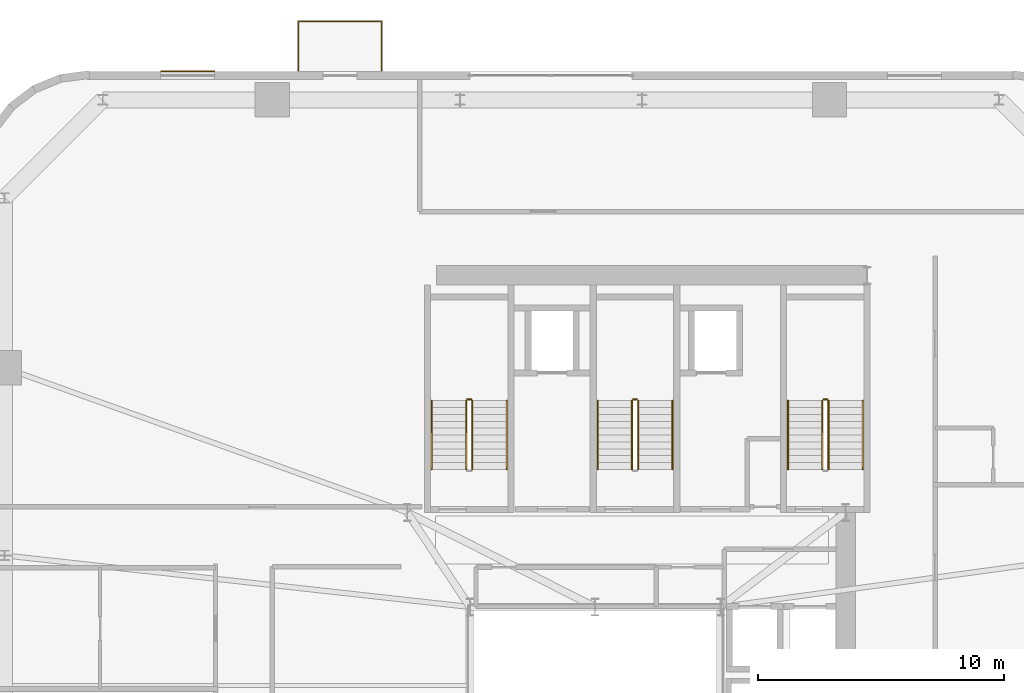
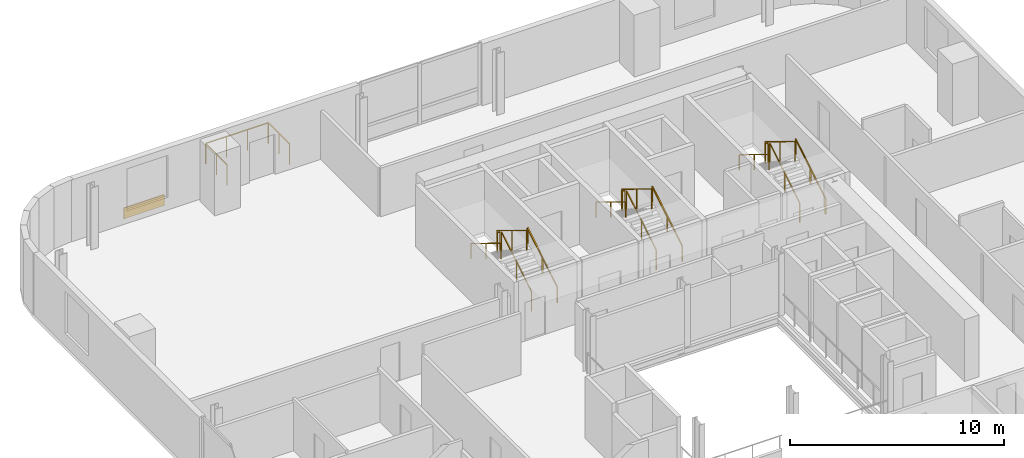
# One storey, part 15 of 16: 16 railings, 1 covering.
"""IFC4 building model written with IfcOpenShell, lengths in metres."""

import ifcopenshell
import ifcopenshell.guid

model = None  # the IFC model being written
_history = None  # IfcOwnerHistory: only IFC2X3 demands one
_inside = {}  # id of a spatial element -> (the spatial element, [elements in it])
_under = {}  # id of a project, library or spatial element -> (it, [spatial elements below it])
_declared = {}  # id of a project -> (the project, [libraries it declares])
_typed = {}  # id of a type object -> (the type object, [elements of that type])
_made_of = {}  # id of a material, layer set ... -> (it, [elements and type objects made of it])


def new_model(schema):
    """Start an empty IFC model of exactly this schema.

    Asked for "IFC4X3", IfcOpenShell would pick the latest addendum, in which some entities
    have other attributes; the version numbers below select the first issue.
    IFC2X3 requires an IfcOwnerHistory on every rooted entity: one is made here for all.
    """
    global model, _history
    if schema == "IFC4X3":
        model = ifcopenshell.file(schema_version=(4, 3, 0, 0))
    else:
        model = ifcopenshell.file(schema=schema)
    _inside.clear()
    _under.clear()
    _declared.clear()
    _typed.clear()
    _made_of.clear()
    _history = None
    if model.schema == "IFC2X3":
        org = make("IfcOrganization", Name="unknown")
        user = make(
            "IfcPersonAndOrganization",
            ThePerson=make("IfcPerson", FamilyName="unknown"),
            TheOrganization=org,
        )
        app = make(
            "IfcApplication",
            ApplicationDeveloper=org,
            Version="unknown",
            ApplicationFullName="unknown",
            ApplicationIdentifier="unknown",
        )
        _history = make(
            "IfcOwnerHistory",
            OwningUser=user,
            OwningApplication=app,
            ChangeAction="ADDED",
            CreationDate=0,
        )
    return model


def make(cls, **values):
    """One entity of the class cls with the attributes given. An attribute that is None is left unset."""
    return model.create_entity(
        cls, **{name: value for name, value in values.items() if value is not None}
    )


def rooted(cls, **values):
    """An entity with a GlobalId (a new one), such as an element, a storey or a relation."""
    return make(cls, GlobalId=ifcopenshell.guid.new(), OwnerHistory=_history, **values)


def si_unit(unit_type, name, prefix=None):
    """IfcSIUnit, for example si_unit("LENGTHUNIT", "METRE", prefix="MILLI")."""
    return make("IfcSIUnit", UnitType=unit_type, Prefix=prefix, Name=name)


def assignment(units):
    """IfcUnitAssignment: the units of a project."""
    return None if units is None else make("IfcUnitAssignment", Units=units)


def point(xyz):
    """IfcCartesianPoint."""
    return None if xyz is None else make("IfcCartesianPoint", Coordinates=xyz)


def direction(xyz):
    """IfcDirection."""
    return None if xyz is None else make("IfcDirection", DirectionRatios=xyz)


def frame(location, z_axis=None, x_axis=None):
    """IfcAxis2Placement3D, a coordinate frame: its origin and axes. An axis left out is left unset."""
    return make(
        "IfcAxis2Placement3D",
        Location=point(location),
        Axis=direction(z_axis),
        RefDirection=direction(x_axis),
    )


def frame_2d(location, x_axis=None):
    """IfcAxis2Placement2D, a coordinate frame in the plane: its origin and x axis."""
    return make(
        "IfcAxis2Placement2D", Location=point(location), RefDirection=direction(x_axis)
    )


def origin():
    """The frame at (0, 0, 0) with its axes left unset."""
    return frame((0.0, 0.0, 0.0))


def origin_2d():
    """The frame at (0, 0) in the plane with its x axis left unset."""
    return frame_2d((0.0, 0.0))


def place(relative_to, where):
    """IfcLocalPlacement: puts the frame where relative to a parent placement (None: the world)."""
    return make(
        "IfcLocalPlacement", PlacementRelTo=relative_to, RelativePlacement=where
    )


def context(
    kind, dimensions, precision=None, world=None, true_north=None, identifier=None
):
    """IfcGeometricRepresentationContext, for example the 3D "Model" context."""
    return make(
        "IfcGeometricRepresentationContext",
        ContextIdentifier=identifier,
        ContextType=kind,
        CoordinateSpaceDimension=dimensions,
        Precision=precision,
        WorldCoordinateSystem=world,
        TrueNorth=true_north,
    )


def subcontext(parent, identifier, kind, view, scale=None):
    """IfcGeometricRepresentationSubContext, for example "Body" below "Model"."""
    return make(
        "IfcGeometricRepresentationSubContext",
        ContextIdentifier=identifier,
        ContextType=kind,
        ParentContext=parent,
        TargetScale=scale,
        TargetView=view,
    )


def project(units=None, contexts=None):
    """IfcProject with its units and contexts."""
    return rooted(
        "IfcProject",
        Name="project",
        RepresentationContexts=contexts,
        UnitsInContext=assignment(units),
    )


def spatial(cls, under=None, at=None, **own):
    """A site, building, storey or space (cls), placed at a placement, below another one or the project."""
    s = rooted(cls, ObjectPlacement=at, **own)
    if under is not None:
        _under.setdefault(under.id(), (under, []))[1].append(s)
    return s


def profile(cls, at=None, kind="AREA", **sizes):
    """A parametric profile (cls). Its sizes go by their IFC names, for example OverallWidth=200.0."""
    return make(cls, ProfileType=kind, Position=at, **sizes)


def rectangle(**sizes):
    """IfcRectangleProfileDef."""
    return profile("IfcRectangleProfileDef", **sizes)


def extrude(swept, where, along, depth):
    """IfcExtrudedAreaSolid: the profile swept, set in the frame where, extruded along a direction by depth."""
    return make(
        "IfcExtrudedAreaSolid",
        SweptArea=swept,
        Position=where,
        ExtrudedDirection=direction(along),
        Depth=depth,
    )


def shape(context_of_items, identifier, shape_type, items):
    """IfcShapeRepresentation: the items that make up one representation, for example the "Body"."""
    return make(
        "IfcShapeRepresentation",
        ContextOfItems=context_of_items,
        RepresentationIdentifier=identifier,
        RepresentationType=shape_type,
        Items=items,
    )


def source(mapping_origin, context_of_items, identifier, shape_type, items):
    """IfcRepresentationMap: a shape defined once, which mapped items show again and again."""
    return make(
        "IfcRepresentationMap",
        MappingOrigin=mapping_origin,
        MappedRepresentation=shape(context_of_items, identifier, shape_type, items),
    )


def transform(
    local_origin,
    x_axis=None,
    y_axis=None,
    z_axis=None,
    scale=None,
    scale2=None,
    scale3=None,
    uniform=True,
):
    """IfcCartesianTransformationOperator3D, or its non-uniform kind. x_axis, y_axis, z_axis: its Axis1, 2, 3."""
    if uniform:
        return make(
            "IfcCartesianTransformationOperator3D",
            Axis1=direction(x_axis),
            Axis2=direction(y_axis),
            LocalOrigin=point(local_origin),
            Scale=scale,
            Axis3=direction(z_axis),
        )
    return make(
        "IfcCartesianTransformationOperator3DnonUniform",
        Axis1=direction(x_axis),
        Axis2=direction(y_axis),
        LocalOrigin=point(local_origin),
        Scale=scale,
        Axis3=direction(z_axis),
        Scale2=scale2,
        Scale3=scale3,
    )


def mapped(mapping_source, mapping_target):
    """IfcMappedItem: shows the shape of a source again, moved by a transform."""
    return make(
        "IfcMappedItem", MappingSource=mapping_source, MappingTarget=mapping_target
    )


def material(Name=None, Category=None):
    """IfcMaterial."""
    return make("IfcMaterial", Name=Name, Category=Category)


def layer(
    of_material, thickness, ventilated=None, Name=None, Category=None, Priority=None
):
    """IfcMaterialLayer: one layer of a wall or slab, of a material (None: an air gap)."""
    return make(
        "IfcMaterialLayer",
        Material=of_material,
        LayerThickness=thickness,
        IsVentilated=ventilated,
        Name=Name,
        Category=Category,
        Priority=Priority,
    )


def layer_set(layers, Name=None):
    """IfcMaterialLayerSet."""
    return make("IfcMaterialLayerSet", MaterialLayers=layers, LayerSetName=Name)


def made_of(thing, what):
    """Note that an element or type object is made of a material, layer set ...; save() writes the relation."""
    if what is not None:
        _made_of.setdefault(what.id(), (what, []))[1].append(thing)
    return thing


def type_object(cls, material=None, **own):
    """A type object (cls), such as IfcWallType, which elements share."""
    return made_of(rooted(cls, **own), material)


def element(
    cls,
    number,
    at=None,
    inside=None,
    cuts=None,
    type_object=None,
    material=None,
    context=None,
    identifier="Body",
    shape_type=None,
    held_by="IfcProductDefinitionShape",
    body=None,
    shapes=None,
    **own,
):
    """One element of the class cls, such as IfcWall. Its Tag is "e" and its number.

    at: its placement. inside: the storey or other place that contains it. cuts: it is an
    opening in that element (IfcRelVoidsElement). A single representation is given by context,
    identifier, shape_type and body (its items); several are given by shapes. held_by: the class
    of the entity that holds the representations. save() writes the other relations.
    """
    e = rooted(cls, Tag="e%d" % number, ObjectPlacement=at, **own)
    if body is not None:
        shapes = [shape(context, identifier, shape_type, body)]
    if shapes is not None:
        e.Representation = make(held_by, Representations=shapes)
    if inside is not None:
        _inside.setdefault(inside.id(), (inside, []))[1].append(e)
    if cuts is not None:
        rooted(
            "IfcRelVoidsElement", RelatingBuildingElement=cuts, RelatedOpeningElement=e
        )
    if type_object is not None:
        _typed.setdefault(type_object.id(), (type_object, []))[1].append(e)
    return made_of(e, material)


def aggregate(whole, parts):
    """IfcRelAggregates: a whole, such as a stair, and the parts it consists of."""
    return rooted("IfcRelAggregates", RelatingObject=whole, RelatedObjects=parts)


def save(model, path):
    """Write the relations noted so far, then the file.

    IfcRelAggregates (storeys below a building ...), IfcRelContainedInSpatialStructure (elements
    in a storey), IfcRelDefinesByType, IfcRelAssociatesMaterial and IfcRelDeclares: one each for
    every whole, place, type object, material and project.
    """
    for whole, parts in _under.values():
        aggregate(whole, parts)
    for where, things in _inside.values():
        rooted(
            "IfcRelContainedInSpatialStructure",
            RelatedElements=things,
            RelatingStructure=where,
        )
    for kind, things in _typed.values():
        rooted("IfcRelDefinesByType", RelatedObjects=things, RelatingType=kind)
    for what, things in _made_of.values():
        rooted("IfcRelAssociatesMaterial", RelatedObjects=things, RelatingMaterial=what)
    for by, libraries in _declared.values():
        rooted("IfcRelDeclares", RelatingContext=by, RelatedDefinitions=libraries)
    model.write(path)


model = new_model("IFC4")

# Units and contexts
model_context = context("Model", 3, precision=1e-05, world=origin(), true_north=direction((0.0, 1.0)))
body_context = subcontext(model_context, "Body", "Model", "MODEL_VIEW")
ifc_project = project(units=[si_unit("LENGTHUNIT", "METRE"), si_unit("AREAUNIT", "SQUARE_METRE"), si_unit("VOLUMEUNIT", "CUBIC_METRE"), si_unit("PLANEANGLEUNIT", "RADIAN"), si_unit("MASSUNIT", "GRAM", prefix="KILO")], contexts=[model_context])

# Site, building, storey
site_placement = place(None, origin())
site = spatial("IfcSite", under=ifc_project, at=site_placement, CompositionType="ELEMENT")
building_placement = place(site_placement, origin())
building = spatial("IfcBuilding", under=site, at=building_placement, Name="Vardaveli Station Tower", CompositionType="ELEMENT")
storey_placement = place(building_placement, frame((0.0, 0.0, 222.300048828125)))
storey = spatial("IfcBuildingStorey", under=building, at=storey_placement, Name="L57", CompositionType="ELEMENT", Elevation=222.300048828125)

# Covering
ifc_material_1 = material(Name="Ventilated honed travertine stone cladding", Category="masonry")
ifc_layer = layer(ifc_material_1, 0.044921875, Name="Ventilated honed travertine stone cladding")
ifc_layer_set = layer_set([ifc_layer], Name="Ventilated honed travertine stone cladding")
covering_type = type_object("IfcCoveringType", Name="COV-CLAD-TR45", PredefinedType="CLADDING", material=ifc_layer_set)
shared_shape_1 = source(origin(), body_context, "Body", "SweptSolid", [
    extrude(rectangle(XDim=2.199951171875, YDim=0.044921875, at=origin_2d()), origin(), (0.0, 0.0, 1.0), 0.6201171875),
])
covering_placement = place(storey_placement, frame((19.705078125, 48.614501953125, 0.06982421875), z_axis=(0.0, 0.0, 1.0), x_axis=(1.0, 0.0, 0.0)))
element("IfcCovering", 1, at=covering_placement, inside=storey, type_object=covering_type, Name="CLD-TR-L57-N", PredefinedType="CLADDING", context=body_context, shape_type="MappedRepresentation", body=[
    mapped(shared_shape_1, transform((0.0, 0.0, 0.0), scale=1.0)),
])

# Railings
ifc_material_2 = material(Name="Laminated glass and stainless steel balustrade", Category="steel")
railing_type_1 = type_object("IfcRailingType", Name="RL-BAL-1200", PredefinedType="BALUSTRADE", material=ifc_material_2)
shared_shape_2 = source(origin(), body_context, "Body", "SweptSolid", [
    extrude(rectangle(XDim=0.048095703125, YDim=0.048095703125, at=origin_2d()), frame((0.0, 0.0, 1.17578125), z_axis=(0.0, 1.0, 0.0), x_axis=(-1.0, 0.0, 0.0)), (0.0, 0.0, 1.0), 2.0),
    extrude(rectangle(XDim=0.048095703125, YDim=0.048095703125, at=origin_2d()), frame((0.0, 2.0, 1.17578125), z_axis=(1.0, 0.0, 0.0), x_axis=(0.0, 1.0, 0.0)), (0.0, 0.0, 1.0), 3.3798828125),
    extrude(rectangle(XDim=0.048095703125, YDim=0.048095703125, at=origin_2d()), frame((3.3798828125, 2.0, 1.17578125), z_axis=(0.0, -1.0, 0.0), x_axis=(1.0, 0.0, 0.0)), (0.0, 0.0, 1.0), 2.0),
    extrude(rectangle(XDim=0.0419921875, YDim=0.0419921875, at=origin_2d()), origin(), (0.0, 0.0, 1.0), 1.15185546875),
    extrude(rectangle(XDim=0.0419921875, YDim=0.0419921875, at=origin_2d()), frame((0.0, 1.0, 0.0)), (0.0, 0.0, 1.0), 1.15185546875),
    extrude(rectangle(XDim=0.0419921875, YDim=0.0419921875, at=origin_2d()), frame((0.0, 2.0, 0.0)), (0.0, 0.0, 1.0), 1.15185546875),
    extrude(rectangle(XDim=0.0419921875, YDim=0.0419921875, at=origin_2d()), frame((1.126708984375, 2.0, 0.0)), (0.0, 0.0, 1.0), 1.15185546875),
    extrude(rectangle(XDim=0.0419921875, YDim=0.0419921875, at=origin_2d()), frame((2.253173828125, 2.0, 0.0)), (0.0, 0.0, 1.0), 1.15185546875),
    extrude(rectangle(XDim=0.0419921875, YDim=0.0419921875, at=origin_2d()), frame((3.3798828125, 2.0, 0.0)), (0.0, 0.0, 1.0), 1.15185546875),
    extrude(rectangle(XDim=0.0419921875, YDim=0.0419921875, at=origin_2d()), frame((3.3798828125, 1.0, 0.0)), (0.0, 0.0, 1.0), 1.15185546875),
    extrude(rectangle(XDim=0.0419921875, YDim=0.0419921875, at=origin_2d()), frame((3.3798828125, 0.0, 0.0)), (0.0, 0.0, 1.0), 1.15185546875),
])
railing_placement = place(storey_placement, frame((24.220458984375, 48.639892578125, 0.0)))
element("IfcRailing", 2, at=railing_placement, inside=storey, type_object=railing_type_1, Name="RL-LOG-L57-02", PredefinedType="BALUSTRADE", context=body_context, shape_type="MappedRepresentation", body=[
    mapped(shared_shape_2, transform((0.0, 0.0, 0.0), scale=1.0)),
])
ifc_material_3 = material(Name="Brushed AISI 316 stainless steel", Category="steel")
railing_type_2 = type_object("IfcRailingType", Name="RL-GUARD-1150", PredefinedType="GUARDRAIL", material=ifc_material_3)
shared_shape_3 = source(origin(), body_context, "Body", "SweptSolid", [
    extrude(rectangle(XDim=0.048095703125, YDim=0.048095703125, at=origin_2d()), frame((0.0, 0.0, 1.1259765625), z_axis=(-1.0, 0.0, 0.0), x_axis=(0.0, -1.0, 0.0)), (0.0, 0.0, 1.0), 0.14990234375),
    extrude(rectangle(XDim=0.0419921875, YDim=0.0419921875, at=origin_2d()), origin(), (0.0, 0.0, 1.0), 1.101806640625),
    extrude(rectangle(XDim=0.0419921875, YDim=0.0419921875, at=origin_2d()), frame((-0.14990234375, 0.0, 0.0)), (0.0, 0.0, 1.0), 1.101806640625),
])
for number, where, name in (
    (3, (31.25, 35.25, 1.875), "L57 ST-1 stair guard 2"),
    (4, (38.0, 35.25, 1.875), "L57 ST-2 stair guard 2"),
    (5, (45.75, 35.25, 1.875), "L57 ST-3 stair guard 2"),
):
    element("IfcRailing", number, at=place(storey_placement, frame(where)), inside=storey, type_object=railing_type_2, Name=name, PredefinedType="GUARDRAIL", context=body_context, shape_type="MappedRepresentation", body=[
        mapped(shared_shape_3, transform((0.0, 0.0, 0.0), scale=1.0)),
    ])
shared_shape_4 = source(origin(), body_context, "Body", "SweptSolid", [
    extrude(rectangle(XDim=0.048095703125, YDim=0.048095703125, at=origin_2d()), frame((0.0, 0.0, 1.1259765625), z_axis=(0.0, 0.854169791009, 0.51999420009), x_axis=(-1.0, 0.0, 0.0)), (0.0, 0.0, 1.0), 3.278076171875),
    extrude(rectangle(XDim=0.0419921875, YDim=0.0419921875, at=origin_2d()), origin(), (0.0, 0.0, 1.0), 1.101806640625),
    extrude(rectangle(XDim=0.0419921875, YDim=0.0419921875, at=origin_2d()), frame((0.0, 1.39990234375, 0.852294921875)), (0.0, 0.0, 1.0), 1.101806640625),
    extrude(rectangle(XDim=0.0419921875, YDim=0.0419921875, at=origin_2d()), frame((0.0, 2.800048828125, 1.70458984375)), (0.0, 0.0, 1.0), 1.101806640625),
])
for number, where, name in (
    (6, (31.300048828125, 32.39990234375, 0.17041015625), "L57 ST-1 stair guard 1"),
    (7, (38.050048828125, 32.39990234375, 0.17041015625), "L57 ST-2 stair guard 1"),
    (8, (45.800048828125, 32.39990234375, 0.17041015625), "L57 ST-3 stair guard 1"),
):
    element("IfcRailing", number, at=place(storey_placement, frame(where)), inside=storey, type_object=railing_type_2, Name=name, PredefinedType="GUARDRAIL", context=body_context, shape_type="MappedRepresentation", body=[
        mapped(shared_shape_4, transform((0.0, 0.0, 0.0), scale=1.0)),
    ])
shared_shape_5 = source(origin(), body_context, "Body", "SweptSolid", [
    extrude(rectangle(XDim=0.048095703125, YDim=0.048095703125, at=origin_2d()), frame((0.0, 0.0, 1.1259765625), z_axis=(0.0, -0.854169791009, 0.51999420009), x_axis=(1.0, 0.0, 0.0)), (0.0, 0.0, 1.0), 3.278076171875),
    extrude(rectangle(XDim=0.0419921875, YDim=0.0419921875, at=origin_2d()), origin(), (0.0, 0.0, 1.0), 1.101806640625),
    extrude(rectangle(XDim=0.0419921875, YDim=0.0419921875, at=origin_2d()), frame((0.0, -1.39990234375, 0.852294921875)), (0.0, 0.0, 1.0), 1.101806640625),
    extrude(rectangle(XDim=0.0419921875, YDim=0.0419921875, at=origin_2d()), frame((0.0, -2.800048828125, 1.70458984375)), (0.0, 0.0, 1.0), 1.101806640625),
])
for number, where, name in (
    (9, (31.050048828125, 35.199951171875, 2.04541015625), "L57 ST-1 stair guard 3"),
    (10, (37.800048828125, 35.199951171875, 2.04541015625), "L57 ST-2 stair guard 3"),
    (11, (45.550048828125, 35.199951171875, 2.04541015625), "L57 ST-3 stair guard 3"),
):
    element("IfcRailing", number, at=place(storey_placement, frame(where)), inside=storey, type_object=railing_type_2, Name=name, PredefinedType="GUARDRAIL", context=body_context, shape_type="MappedRepresentation", body=[
        mapped(shared_shape_5, transform((0.0, 0.0, 0.0), scale=1.0)),
    ])
railing_type_3 = type_object("IfcRailingType", Name="RL-HAND-900", PredefinedType="HANDRAIL", material=ifc_material_3)
shared_shape_6 = source(origin(), body_context, "Body", "SweptSolid", [
    extrude(rectangle(XDim=0.048095703125, YDim=0.048095703125, at=origin_2d()), frame((0.0, 0.0, 0.8759765625), z_axis=(0.0, 0.854169791009, 0.51999420009), x_axis=(-1.0, 0.0, 0.0)), (0.0, 0.0, 1.0), 3.278076171875),
    extrude(rectangle(XDim=0.0419921875, YDim=0.0419921875, at=origin_2d()), origin(), (0.0, 0.0, 1.0), 0.851806640625),
    extrude(rectangle(XDim=0.0419921875, YDim=0.0419921875, at=origin_2d()), frame((0.0, 1.39990234375, 0.852294921875)), (0.0, 0.0, 1.0), 0.851806640625),
    extrude(rectangle(XDim=0.0419921875, YDim=0.0419921875, at=origin_2d()), frame((0.0, 2.800048828125, 1.70458984375)), (0.0, 0.0, 1.0), 0.851806640625),
])
for number, where, name in (
    (12, (32.699951171875, 32.39990234375, 0.17041015625), "L57 ST-1 stair handrail 1"),
    (13, (39.449951171875, 32.39990234375, 0.17041015625), "L57 ST-2 stair handrail 1"),
    (14, (47.199951171875, 32.39990234375, 0.17041015625), "L57 ST-3 stair handrail 1"),
):
    element("IfcRailing", number, at=place(storey_placement, frame(where)), inside=storey, type_object=railing_type_3, Name=name, PredefinedType="HANDRAIL", context=body_context, shape_type="MappedRepresentation", body=[
        mapped(shared_shape_6, transform((0.0, 0.0, 0.0), scale=1.0)),
    ])
shared_shape_7 = source(origin(), body_context, "Body", "SweptSolid", [
    extrude(rectangle(XDim=0.048095703125, YDim=0.048095703125, at=origin_2d()), frame((0.0, 0.0, 0.8759765625), z_axis=(0.0, -0.854169791009, 0.51999420009), x_axis=(1.0, 0.0, 0.0)), (0.0, 0.0, 1.0), 3.278076171875),
    extrude(rectangle(XDim=0.0419921875, YDim=0.0419921875, at=origin_2d()), origin(), (0.0, 0.0, 1.0), 0.851806640625),
    extrude(rectangle(XDim=0.0419921875, YDim=0.0419921875, at=origin_2d()), frame((0.0, -1.39990234375, 0.852294921875)), (0.0, 0.0, 1.0), 0.851806640625),
    extrude(rectangle(XDim=0.0419921875, YDim=0.0419921875, at=origin_2d()), frame((0.0, -2.800048828125, 1.70458984375)), (0.0, 0.0, 1.0), 0.851806640625),
])
for number, where, name in (
    (15, (29.64990234375, 35.199951171875, 2.04541015625), "L57 ST-1 stair handrail 2"),
    (16, (36.39990234375, 35.199951171875, 2.04541015625), "L57 ST-2 stair handrail 2"),
    (17, (44.14990234375, 35.199951171875, 2.04541015625), "L57 ST-3 stair handrail 2"),
):
    element("IfcRailing", number, at=place(storey_placement, frame(where)), inside=storey, type_object=railing_type_3, Name=name, PredefinedType="HANDRAIL", context=body_context, shape_type="MappedRepresentation", body=[
        mapped(shared_shape_7, transform((0.0, 0.0, 0.0), scale=1.0)),
    ])

save(model, "model.ifc")
